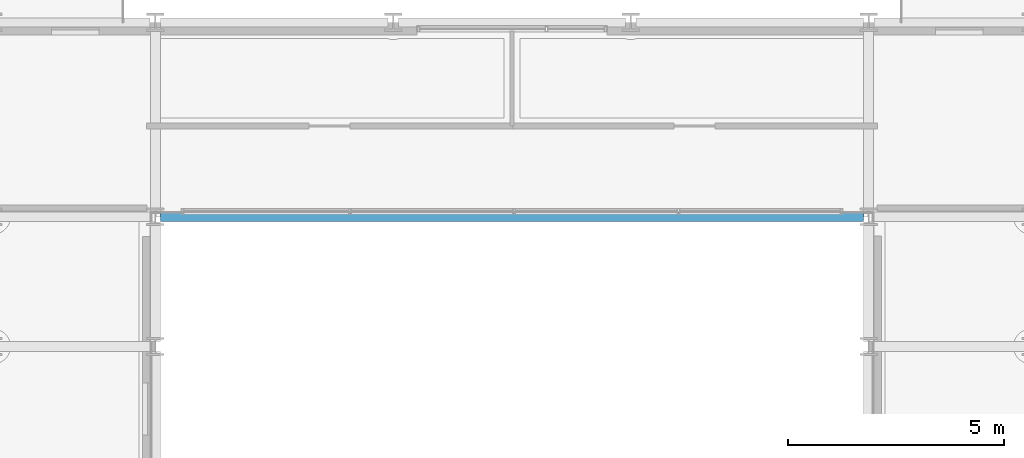
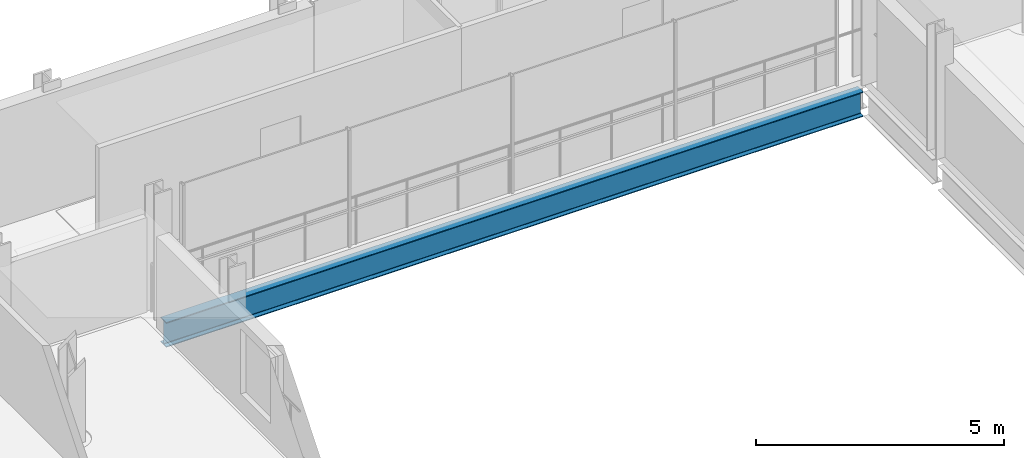
# One storey, part 12 of 41: 1 beam.
"""IFC4 building model written with IfcOpenShell, lengths in metres."""

from ifc_helpers import new_model, si_unit, direction, frame, origin, origin_2d, place, context, subcontext, project, spatial, i_section, extrude, material, material_profile, profile_set, type_object, element, save


model = new_model("IFC4")

# Units and contexts
model_context = context("Model", 3, precision=1e-05, world=origin(), true_north=direction((0.0, 1.0)))
body_context = subcontext(model_context, "Body", "Model", "MODEL_VIEW")
ifc_project = project(units=[si_unit("LENGTHUNIT", "METRE"), si_unit("AREAUNIT", "SQUARE_METRE"), si_unit("VOLUMEUNIT", "CUBIC_METRE"), si_unit("PLANEANGLEUNIT", "RADIAN"), si_unit("MASSUNIT", "GRAM", prefix="KILO")], contexts=[model_context])

# Site, building, storey
site_placement = place(None, origin())
site = spatial("IfcSite", under=ifc_project, at=site_placement, CompositionType="ELEMENT")
building_placement = place(site_placement, origin())
building = spatial("IfcBuilding", under=site, at=building_placement, Name="Brevholm Reach", CompositionType="ELEMENT")
storey_placement = place(building_placement, frame((0.0, 0.0, 169.699951171875)))
storey = spatial("IfcBuildingStorey", under=building, at=storey_placement, Name="L51", CompositionType="ELEMENT", Elevation=169.699951171875)

# Beam
ifc_material = material(Name="Structural Steel S355J2", Category="steel")
ifc_material_profile = material_profile(ifc_material, i_section(OverallWidth=0.22900390625, OverallDepth=0.6123046875, WebThickness=0.011962890625, FlangeThickness=0.01953125, FilletRadius=0.0126953125, at=origin_2d()), Name="UKB 610x229x125")
ifc_profile_set = profile_set([ifc_material_profile], Name="Structural Steel S355J2")
beam_type = type_object("IfcBeamType", Name="BM-SP610", PredefinedType="SPANDREL", material=ifc_profile_set)
beam_placement = place(storey_placement, frame((21.8701171875, 26.5, -0.526123046875), z_axis=(1.0, 0.0, 0.0), x_axis=(0.0, 1.0, 0.0)))
element("IfcBeam", 1, at=beam_placement, inside=storey, type_object=beam_type, Name="L51 SP-01 Framing Beam", PredefinedType="SPANDREL", context=body_context, shape_type="SweptSolid", body=[
    extrude(i_section(OverallWidth=0.22900390625, OverallDepth=0.6123046875, WebThickness=0.011962890625, FlangeThickness=0.01953125, FilletRadius=0.0126953125, at=origin_2d()), origin(), (0.0, 0.0, 1.0), 16.259765625),
])

save(model, "model.ifc")
